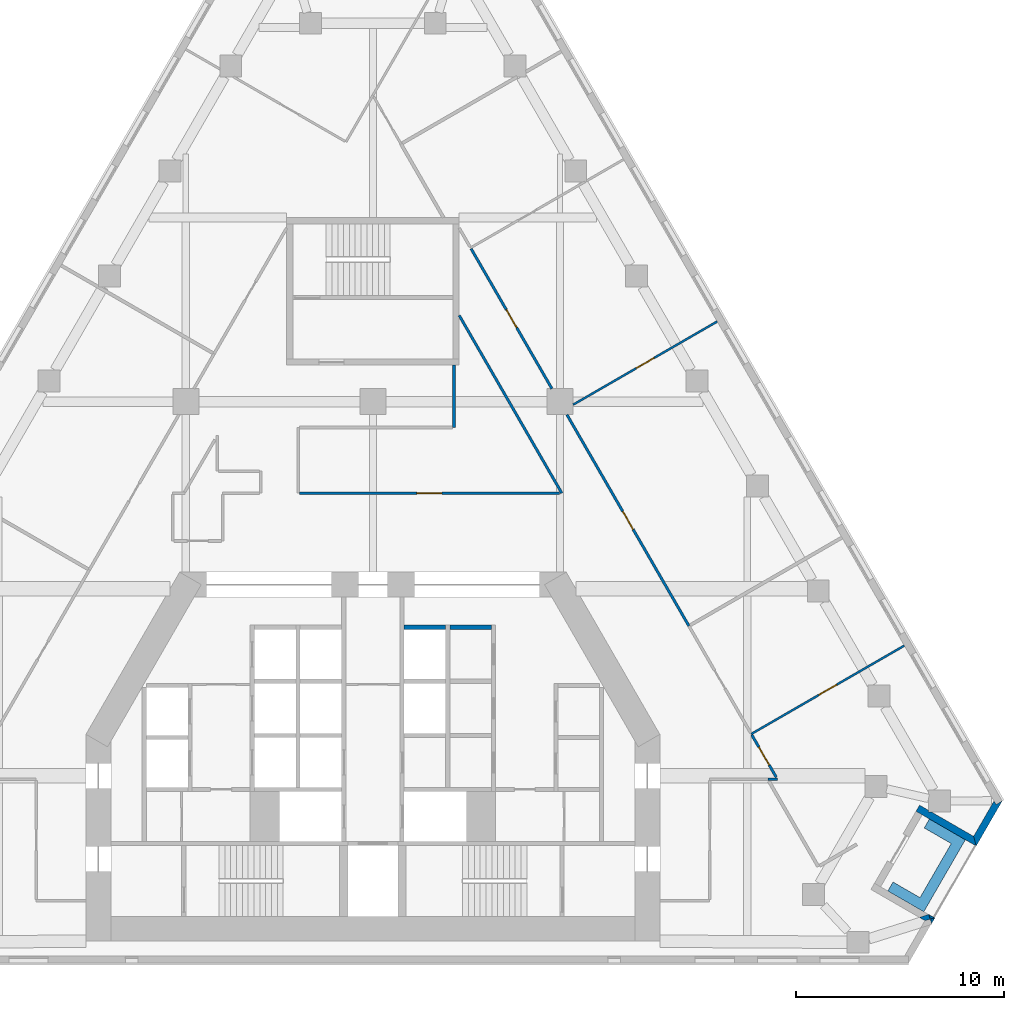
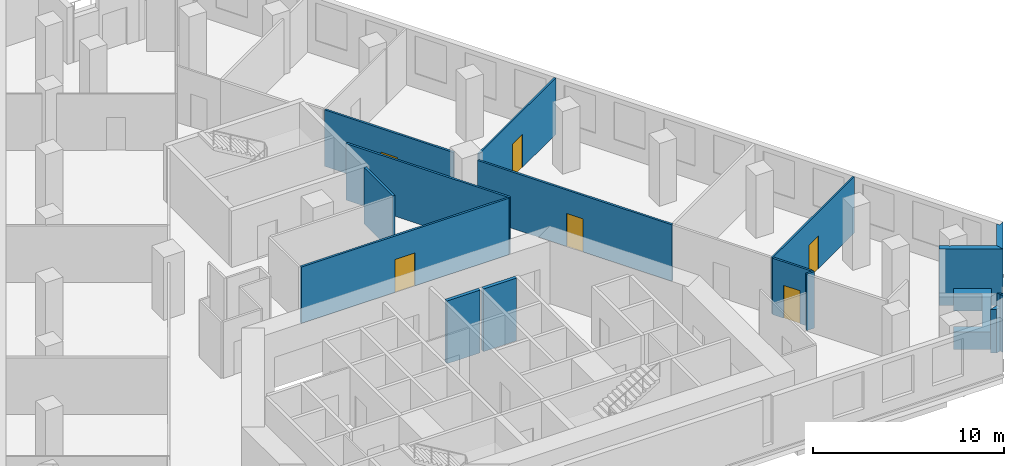
# One storey, part 7 of 10: 17 walls, 6 doors, 6 openings.
"""IFC4 building model written with IfcOpenShell, lengths in metres."""

from ifc_helpers import new_model, si_unit, direction, frame, frame_2d, origin, place, context, subcontext, project, spatial, polyline, rectangle, outline, extrude, material, layer, layer_set, type_object, element, fill, save


model = new_model("IFC4")

# Units and contexts
model_context = context("Model", 3, precision=1e-05, world=origin(), true_north=direction((0.0, 1.0)))
body_context = subcontext(model_context, "Body", "Model", "MODEL_VIEW")
ifc_project = project(units=[si_unit("LENGTHUNIT", "METRE"), si_unit("AREAUNIT", "SQUARE_METRE"), si_unit("VOLUMEUNIT", "CUBIC_METRE"), si_unit("PLANEANGLEUNIT", "RADIAN"), si_unit("MASSUNIT", "GRAM", prefix="KILO")], contexts=[model_context])

# Site, building, storey
site_placement = place(None, origin())
site = spatial("IfcSite", under=ifc_project, at=site_placement, CompositionType="ELEMENT")
building_placement = place(site_placement, origin())
building = spatial("IfcBuilding", under=site, at=building_placement, Name="Fogline Exchange Tower", CompositionType="ELEMENT")
storey_placement = place(building_placement, frame((0.0, 0.0, 108.10009765625)))
storey = spatial("IfcBuildingStorey", under=building, at=storey_placement, Name="L23", CompositionType="ELEMENT", Elevation=108.10009765625)

# Walls
ifc_material_1 = material(Name="Concrete C40", Category="concrete")
ifc_layer_1 = layer(ifc_material_1, 0.199951171875)
ifc_layer_set_1 = layer_set([ifc_layer_1], Name="CW20S")
wall_type_1 = type_object("IfcWallType", Name="CW20S", PredefinedType="SOLIDWALL", material=ifc_layer_set_1)
for number, where, z_axis, x_axis, name in (
    (1, (3.699951171875, 16.14990234375, -0.400146484375), (0.0, 0.0, 1.0), (1.0, 0.0, 0.0), "Lift shaft wall"),
    (2, (1.5, 16.14990234375, -0.400146484375), (0.0, 0.0, 1.0), (1.0, 0.0, 0.0), "Lift shaft wall"),
):
    element("IfcWall", number, at=place(storey_placement, frame(where, z_axis=z_axis, x_axis=x_axis)), inside=storey, type_object=wall_type_1, Name=name, PredefinedType="SOLIDWALL", context=body_context, shape_type="SweptSolid", body=[
        extrude(rectangle(XDim=2.0, YDim=0.199951171875, at=frame_2d((1.0, 0.0))), origin(), (0.0, 0.0, 1.0), 4.0),
    ])
ifc_material_2 = material(Name="Brick masonry", Category="masonry")
ifc_layer_2 = layer(ifc_material_2, 0.340087890625)
ifc_layer_set_2 = layer_set([ifc_layer_2], Name="FW1")
wall_type_2 = type_object("IfcWallType", Name="FW1", PredefinedType="SOLIDWALL", material=ifc_layer_set_2)
wall_1_placement = place(storey_placement, origin())
element("IfcWall", 3, at=wall_1_placement, inside=storey, type_object=wall_type_2, Name="Brick wall L23 SE-c1", PredefinedType="SOLIDWALL", context=body_context, shape_type="SweptSolid", body=[
    extrude(outline(polyline([(26.8740234375, 1.91845703125), (26.81298828125, 2.111328125), (27.0166015625, 2.166015625), (27.0166015625, 2.165771484375), (26.8740234375, 1.91845703125)])), origin(), (0.0, 0.0, 1.0), 3.599853515625),
])
wall_2_placement = place(storey_placement, origin())
element("IfcWall", 4, at=wall_2_placement, inside=storey, type_object=wall_type_2, Name="Brick wall L23 SE-s1", PredefinedType="SOLIDWALL", context=body_context, shape_type="SweptSolid", body=[
    extrude(outline(polyline([(26.746826171875, 2.321044921875), (26.8134765625, 2.1103515625), (26.551025390625, 2.0400390625), (26.281005859375, 2.196044921875), (26.721923828125, 2.33544921875), (26.746826171875, 2.321044921875)])), origin(), (0.0, 0.0, 1.0), 2.7998046875),
])
wall_3_placement = place(storey_placement, origin())
element("IfcWall", 5, at=wall_3_placement, inside=storey, type_object=wall_type_2, Name="Brick wall L23 SE-s1", PredefinedType="SOLIDWALL", context=body_context, shape_type="SweptSolid", body=[
    extrude(outline(polyline([(27.016845703125, 2.1650390625), (27.016845703125, 2.164794921875), (26.8134765625, 2.1103515625), (26.746826171875, 2.321044921875), (27.016845703125, 2.1650390625)])), origin(), (0.0, 0.0, 1.0), 3.599853515625),
])
wall_4_placement = place(storey_placement, origin())
element("IfcWall", 6, at=wall_4_placement, inside=storey, type_object=wall_type_2, Name="Brick wall L23 SE-s2", PredefinedType="SOLIDWALL", context=body_context, shape_type="SweptSolid", body=[
    extrude(outline(polyline([(29.016357421875, 5.628173828125), (26.417236328125, 7.128662109375), (26.122314453125, 7.298828125), (26.29296875, 7.594482421875), (26.72412109375, 7.345458984375), (26.72412109375, 7.269287109375), (26.856201171875, 7.269287109375), (28.8916015625, 6.093994140625), (29.0166015625, 5.62841796875), (29.016357421875, 5.628173828125)])), origin(), (0.0, 0.0, 1.0), 3.599853515625),
])
wall_5_placement = place(storey_placement, origin())
element("IfcWall", 7, at=wall_5_placement, inside=storey, type_object=wall_type_2, Name="Brick wall L23 SE-c2", PredefinedType="SOLIDWALL", context=body_context, shape_type="SweptSolid", body=[
    extrude(outline(polyline([(29.873046875, 7.79541015625), (29.971435546875, 7.625), (30.266357421875, 7.79541015625), (30.2666015625, 7.794921875), (29.015625, 5.6279296875), (29.015380859375, 5.6279296875), (28.890625, 6.09375), (29.873046875, 7.79541015625)])), origin(), (0.0, 0.0, 1.0), 3.599853515625),
])
ifc_material_3 = material(Name="Concrete C30", Category="concrete")
ifc_layer_3 = layer(ifc_material_3, 0.199951171875)
ifc_layer_set_3 = layer_set([ifc_layer_3], Name="PL1")
wall_type_3 = type_object("IfcWallType", Name="PL1", PredefinedType="USERDEFINED", material=ifc_layer_set_3)
wall_6_placement = place(storey_placement, origin())
element("IfcWall", 8, at=wall_6_placement, inside=storey, type_object=wall_type_3, Name="PLANTER balcony L23 SE", ObjectType="PLANTER", PredefinedType="USERDEFINED", context=body_context, shape_type="SweptSolid", body=[
    extrude(outline(polyline([(24.763916015625, 3.465087890625), (26.06298828125, 2.715087890625), (26.06298828125, 2.715087890625), (26.49609375, 2.465087890625), (28.49609375, 5.92919921875), (26.763916015625, 6.92919921875), (26.513916015625, 6.49609375), (27.81298828125, 5.74609375), (26.31298828125, 3.148193359375), (25.013916015625, 3.898193359375), (24.763916015625, 3.465087890625)])), origin(), (0.0, 0.0, 1.0), 1.099853515625),
])

# Wall, opening, door
ifc_material_4 = material(Name="Plasterboard partition, 2 layers each side on steel studs", Category="steel")
ifc_layer_4 = layer(ifc_material_4, 0.10009765625)
ifc_layer_set_4 = layer_set([ifc_layer_4], Name="PW1")
wall_type_4 = type_object("IfcWallType", Name="PW1", PredefinedType="PARTITIONING", material=ifc_layer_set_4)
wall_7_placement = place(storey_placement, frame((9.625, 26.8525390625, 0.0), z_axis=(0.0, 0.0, 1.0), x_axis=(0.866022071626, 0.500005771424, 0.0)))
wall_7 = element("IfcWall", 9, at=wall_7_placement, inside=storey, type_object=wall_type_4, Name="wall-L23-W033", PredefinedType="PARTITIONING", context=body_context, shape_type="SweptSolid", body=[
    extrude(rectangle(XDim=8.00634765625, YDim=0.10009765625, at=frame_2d((4.003173828125, 0.0))), origin(), (0.0, 0.0, 1.0), 3.599853515625),
])
opening_1_placement = place(wall_7_placement, frame((3.503173828125, 0.0, 0.0)))
opening_1 = element("IfcOpeningElement", 10, at=opening_1_placement, cuts=wall_7, Name="Opening T07-D013", PredefinedType="OPENING", context=body_context, shape_type="SweptSolid", body=[
    extrude(rectangle(XDim=1.0, YDim=2.10009765625, at=frame_2d((0.5, 1.050048828125))), frame((0.0, 0.06005859375, 0.0), z_axis=(0.0, -1.0, 0.0), x_axis=(1.0, 0.0, 0.0)), (0.0, 0.0, 1.0), 0.1201171875),
])
ifc_material_5 = material(Name="Timber door leaf with steel frame", Category="steel")
door_type_1 = type_object("IfcDoorType", Name="D1", OperationType="SINGLE_SWING_LEFT", PredefinedType="DOOR", material=ifc_material_5)
door_1_placement = place(opening_1_placement, origin())
door_1 = element("IfcDoor", 11, at=door_1_placement, inside=storey, type_object=door_type_1, Name="door-L23-D013", OperationType="SINGLE_SWING_RIGHT", OverallHeight=2.10009765625, OverallWidth=1.0, PredefinedType="DOOR", context=body_context, shape_type="SweptSolid", body=[
    extrude(rectangle(XDim=1.0, YDim=2.10009765625, at=frame_2d((0.5, 1.050048828125))), frame((0.0, 0.02490234375, 0.0), z_axis=(0.0, -1.0, 0.0), x_axis=(1.0, 0.0, 0.0)), (0.0, 0.0, 1.0), 0.050048828125),
])
fill(opening_1, door_1)

wall_8_placement = place(storey_placement, frame((18.197265625, 11.01708984375, 0.0), z_axis=(0.0, 0.0, 1.0), x_axis=(0.866028703517, 0.499994284652, 0.0)))
wall_8 = element("IfcWall", 12, at=wall_8_placement, inside=storey, type_object=wall_type_4, Name="wall-L23-W053", PredefinedType="PARTITIONING", context=body_context, shape_type="SweptSolid", body=[
    extrude(rectangle(XDim=8.5, YDim=0.10009765625, at=frame_2d((4.25, 0.0))), origin(), (0.0, 0.0, 1.0), 3.599853515625),
])
opening_2_placement = place(wall_8_placement, frame((3.75, 0.0, 0.0)))
opening_2 = element("IfcOpeningElement", 13, at=opening_2_placement, cuts=wall_8, Name="Opening T07-D019", PredefinedType="OPENING", context=body_context, shape_type="SweptSolid", body=[
    extrude(rectangle(XDim=1.0, YDim=2.10009765625, at=frame_2d((0.5, 1.050048828125))), frame((0.0, 0.06005859375, 0.0), z_axis=(0.0, -1.0, 0.0), x_axis=(1.0, 0.0, 0.0)), (0.0, 0.0, 1.0), 0.1201171875),
])
door_2_placement = place(opening_2_placement, origin())
door_2 = element("IfcDoor", 14, at=door_2_placement, inside=storey, type_object=door_type_1, Name="door-L23-D019", OperationType="SINGLE_SWING_LEFT", OverallHeight=2.10009765625, OverallWidth=1.0, PredefinedType="DOOR", context=body_context, shape_type="SweptSolid", body=[
    extrude(rectangle(XDim=1.0, YDim=2.10009765625, at=frame_2d((0.5, 1.050048828125))), frame((0.0, 0.02490234375, 0.0), z_axis=(0.0, -1.0, 0.0), x_axis=(1.0, 0.0, 0.0)), (0.0, 0.0, 1.0), 0.050048828125),
])
fill(opening_2, door_2)

ifc_material_6 = material(Name="Plasterboard corridor partition with mineral wool, 2 layers each side")
ifc_layer_5 = layer(ifc_material_6, 0.125)
ifc_layer_set_5 = layer_set([ifc_layer_5], Name="PW2")
wall_type_5 = type_object("IfcWallType", Name="PW2", PredefinedType="PARTITIONING", material=ifc_layer_set_5)
wall_9_placement = place(storey_placement, frame((-3.53759765625, 22.60009765625, 0.0), z_axis=(0.0, 0.0, 1.0), x_axis=(1.0, 0.0, 0.0)))
wall_9 = element("IfcWall", 15, at=wall_9_placement, inside=storey, type_object=wall_type_5, Name="wall-L23-W003", PredefinedType="PARTITIONING", context=body_context, shape_type="SweptSolid", body=[
    extrude(rectangle(XDim=12.513916015625, YDim=0.125, at=frame_2d((6.2568359375, 0.0))), origin(), (0.0, 0.0, 1.0), 3.599853515625),
])
opening_3_placement = place(wall_9_placement, frame((5.656982421875, 0.0, 0.0)))
opening_3 = element("IfcOpeningElement", 16, at=opening_3_placement, cuts=wall_9, Name="Opening T07-D002", PredefinedType="OPENING", context=body_context, shape_type="SweptSolid", body=[
    extrude(rectangle(XDim=1.199951171875, YDim=2.10009765625, at=frame_2d((0.60009765625, 1.050048828125))), frame((0.0, 0.072509765625, 0.0), z_axis=(0.0, -1.0, 0.0), x_axis=(1.0, 0.0, 0.0)), (0.0, 0.0, 1.0), 0.14501953125),
])
ifc_material_7 = material(Name="Fire-rated glazed door leaf with steel frame", Category="steel")
door_type_2 = type_object("IfcDoorType", Name="D5", OperationType="SINGLE_SWING_LEFT", PredefinedType="DOOR", material=ifc_material_7)
door_3_placement = place(opening_3_placement, origin())
door_3 = element("IfcDoor", 17, at=door_3_placement, inside=storey, type_object=door_type_2, Name="door-L23-D002", OperationType="SINGLE_SWING_RIGHT", OverallHeight=2.10009765625, OverallWidth=1.199951171875, PredefinedType="DOOR", context=body_context, shape_type="SweptSolid", body=[
    extrude(rectangle(XDim=1.199951171875, YDim=2.10009765625, at=frame_2d((0.60009765625, 1.050048828125))), frame((0.0, 0.02490234375, 0.0), z_axis=(0.0, -1.0, 0.0), x_axis=(1.0, 0.0, 0.0)), (0.0, 0.0, 1.0), 0.050048828125),
])
fill(opening_3, door_3)

wall_10_placement = place(storey_placement, frame((9.330322265625, 26.375, 0.0), z_axis=(0.0, 0.0, 1.0), x_axis=(0.50000822536, -0.866020654818, 0.0)))
wall_10 = element("IfcWall", 18, at=wall_10_placement, inside=storey, type_object=wall_type_5, Name="wall-L23-W021", PredefinedType="PARTITIONING", context=body_context, shape_type="SweptSolid", body=[
    extrude(rectangle(XDim=11.733642578125, YDim=0.125, at=frame_2d((5.86669921875, 0.0))), origin(), (0.0, 0.0, 1.0), 3.599853515625),
])
opening_4_placement = place(wall_10_placement, frame((5.366943359375, 0.0, 0.0)))
opening_4 = element("IfcOpeningElement", 19, at=opening_4_placement, cuts=wall_10, Name="Opening T07-D009", PredefinedType="OPENING", context=body_context, shape_type="SweptSolid", body=[
    extrude(rectangle(XDim=1.0, YDim=2.10009765625, at=frame_2d((0.5, 1.050048828125))), frame((0.0, 0.072509765625, 0.0), z_axis=(0.0, -1.0, 0.0), x_axis=(1.0, 0.0, 0.0)), (0.0, 0.0, 1.0), 0.14501953125),
])
ifc_material_8 = material(Name="Fire-rated timber door leaf with steel frame", Category="steel")
door_type_3 = type_object("IfcDoorType", Name="D3", OperationType="SINGLE_SWING_LEFT", PredefinedType="DOOR", material=ifc_material_8)
door_4_placement = place(opening_4_placement, origin())
door_4 = element("IfcDoor", 20, at=door_4_placement, inside=storey, type_object=door_type_3, Name="door-L23-D009", OperationType="SINGLE_SWING_LEFT", OverallHeight=2.10009765625, OverallWidth=1.0, PredefinedType="DOOR", context=body_context, shape_type="SweptSolid", body=[
    extrude(rectangle(XDim=1.0, YDim=2.10009765625, at=frame_2d((0.5, 1.050048828125))), frame((0.0, 0.02490234375, 0.0), z_axis=(0.0, -1.0, 0.0), x_axis=(1.0, 0.0, 0.0)), (0.0, 0.0, 1.0), 0.050048828125),
])
fill(opening_4, door_4)

wall_11_placement = place(storey_placement, frame((4.722412109375, 34.356201171875, 0.0), z_axis=(0.0, 0.0, 1.0), x_axis=(0.500020630024, -0.866013492707, 0.0)))
wall_11 = element("IfcWall", 21, at=wall_11_placement, inside=storey, type_object=wall_type_5, Name="wall-L23-W022", PredefinedType="PARTITIONING", context=body_context, shape_type="SweptSolid", body=[
    extrude(rectangle(XDim=7.772705078125, YDim=0.125, at=frame_2d((3.88623046875, 0.0))), origin(), (0.0, 0.0, 1.0), 3.599853515625),
])
opening_5_placement = place(wall_11_placement, frame((3.38623046875, 0.0, 0.0)))
opening_5 = element("IfcOpeningElement", 22, at=opening_5_placement, cuts=wall_11, Name="Opening T07-D010", PredefinedType="OPENING", context=body_context, shape_type="SweptSolid", body=[
    extrude(rectangle(XDim=1.0, YDim=2.10009765625, at=frame_2d((0.5, 1.050048828125))), frame((0.0, 0.072509765625, 0.0), z_axis=(0.0, -1.0, 0.0), x_axis=(1.0, 0.0, 0.0)), (0.0, 0.0, 1.0), 0.14501953125),
])
door_5_placement = place(opening_5_placement, origin())
door_5 = element("IfcDoor", 23, at=door_5_placement, inside=storey, type_object=door_type_3, Name="door-L23-D010", OperationType="SINGLE_SWING_LEFT", OverallHeight=2.10009765625, OverallWidth=1.0, PredefinedType="DOOR", context=body_context, shape_type="SweptSolid", body=[
    extrude(rectangle(XDim=1.0, YDim=2.10009765625, at=frame_2d((0.5, 1.050048828125))), frame((0.0, 0.02490234375, 0.0), z_axis=(0.0, -1.0, 0.0), x_axis=(1.0, 0.0, 0.0)), (0.0, 0.0, 1.0), 0.050048828125),
])
fill(opening_5, door_5)

# Wall
wall_12_placement = place(storey_placement, frame((9.085205078125, 22.60009765625, 0.0), z_axis=(0.0, 0.0, 1.0), x_axis=(-0.500015070409, 0.866016702705, 0.0)))
element("IfcWall", 24, at=wall_12_placement, inside=storey, type_object=wall_type_5, Name="wall-L23-W023", PredefinedType="PARTITIONING", context=body_context, shape_type="SweptSolid", body=[
    extrude(rectangle(XDim=9.870361328125, YDim=0.125, at=frame_2d((4.93505859375, 0.0))), origin(), (0.0, 0.0, 1.0), 3.599853515625),
])

# Wall, opening, door
wall_13_placement = place(storey_placement, frame((18.222412109375, 10.973388671875, 0.0), z_axis=(0.0, 0.0, 1.0), x_axis=(0.500030573929, -0.866007751199, 0.0)))
wall_13 = element("IfcWall", 25, at=wall_13_placement, inside=storey, type_object=wall_type_5, Name="wall-L23-W026", PredefinedType="PARTITIONING", context=body_context, shape_type="SweptSolid", body=[
    extrude(rectangle(XDim=2.354736328125, YDim=0.125, at=frame_2d((1.17724609375, 0.0))), origin(), (0.0, 0.0, 1.0), 3.599853515625),
])
opening_6_placement = place(wall_13_placement, frame((0.677490234375, 0.0, 0.0)))
opening_6 = element("IfcOpeningElement", 26, at=opening_6_placement, cuts=wall_13, Name="Opening T07-D011", PredefinedType="OPENING", context=body_context, shape_type="SweptSolid", body=[
    extrude(rectangle(XDim=1.0, YDim=2.10009765625, at=frame_2d((0.5, 1.050048828125))), frame((0.0, 0.072509765625, 0.0), z_axis=(0.0, -1.0, 0.0), x_axis=(1.0, 0.0, 0.0)), (0.0, 0.0, 1.0), 0.14501953125),
])
door_6_placement = place(opening_6_placement, origin())
door_6 = element("IfcDoor", 27, at=door_6_placement, inside=storey, type_object=door_type_3, Name="door-L23-D011", OperationType="SINGLE_SWING_RIGHT", OverallHeight=2.10009765625, OverallWidth=1.0, PredefinedType="DOOR", context=body_context, shape_type="SweptSolid", body=[
    extrude(rectangle(XDim=1.0, YDim=2.10009765625, at=frame_2d((0.5, 1.050048828125))), frame((0.0, 0.02490234375, 0.0), z_axis=(0.0, -1.0, 0.0), x_axis=(1.0, 0.0, 0.0)), (0.0, 0.0, 1.0), 0.050048828125),
])
fill(opening_6, door_6)

# Walls
wall_14_placement = place(storey_placement, frame((19.454345703125, 8.840087890625, 0.0), z_axis=(0.0, 0.0, 1.0), x_axis=(-1.0, 0.0, 0.0)))
element("IfcWall", 28, at=wall_14_placement, inside=storey, type_object=wall_type_5, Name="wall-L23-W027", PredefinedType="PARTITIONING", context=body_context, shape_type="SweptSolid", body=[
    extrude(rectangle(XDim=0.4619140625, YDim=0.125, at=frame_2d((0.23095703125, 0.0))), origin(), (0.0, 0.0, 1.0), 3.599853515625),
])
ifc_material_9 = material(Name="Plasterboard stair lobby partition, 3 layers each side on steel studs", Category="steel")
ifc_layer_6 = layer(ifc_material_9, 0.14990234375)
ifc_layer_set_6 = layer_set([ifc_layer_6], Name="PW4")
wall_type_6 = type_object("IfcWallType", Name="PW4", PredefinedType="PARTITIONING", material=ifc_layer_set_6)
wall_15_placement = place(storey_placement, frame((3.89990234375, 28.757080078125, 0.0), z_axis=(0.0, 0.0, 1.0), x_axis=(0.0, -1.0, 0.0)))
element("IfcWall", 29, at=wall_15_placement, inside=storey, type_object=wall_type_6, Name="wall-L23-W019", PredefinedType="PARTITIONING", context=body_context, shape_type="SweptSolid", body=[
    extrude(rectangle(XDim=3.0, YDim=0.14990234375, at=frame_2d((1.5, 0.0))), origin(), (0.0, 0.0, 1.0), 3.599853515625),
])

save(model, "model.ifc")
